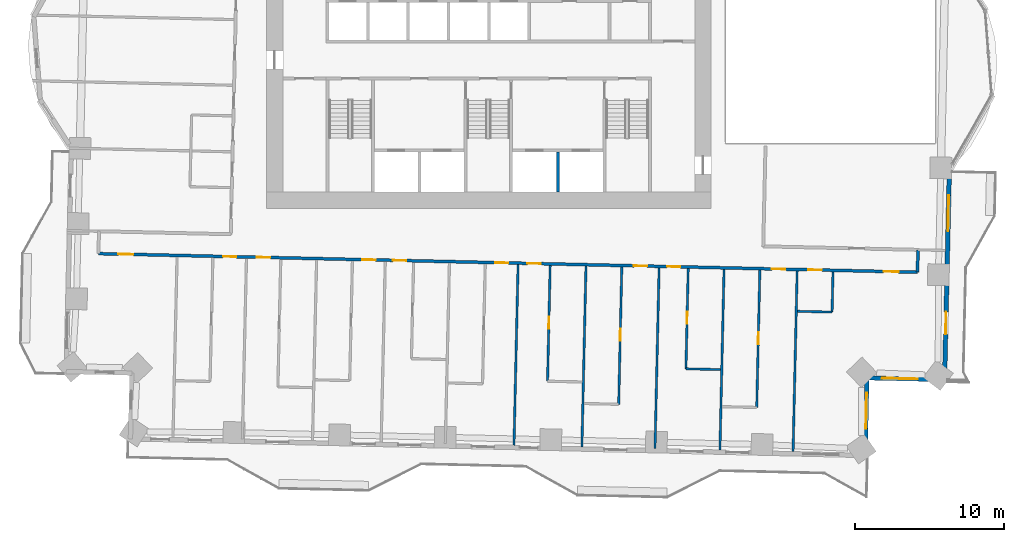
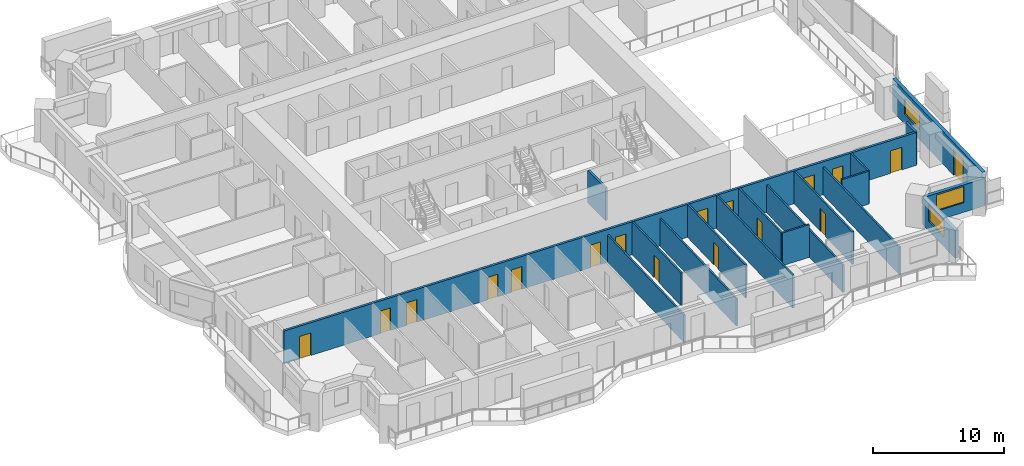
# One storey, part 9 of 18: 18 walls, 17 doors, 3 windows, 20 openings.
"""IFC4 building model written with IfcOpenShell, lengths in metres."""

from ifc_helpers import new_model, si_unit, direction, frame, frame_2d, origin, place, context, subcontext, project, spatial, rectangle, extrude, material, layer, layer_set, type_object, element, fill, save


model = new_model("IFC4")

# Units and contexts
model_context = context("Model", 3, precision=1e-05, world=origin(), true_north=direction((0.0, 1.0)))
body_context = subcontext(model_context, "Body", "Model", "MODEL_VIEW")
ifc_project = project(units=[si_unit("LENGTHUNIT", "METRE"), si_unit("AREAUNIT", "SQUARE_METRE"), si_unit("VOLUMEUNIT", "CUBIC_METRE"), si_unit("PLANEANGLEUNIT", "RADIAN"), si_unit("MASSUNIT", "GRAM", prefix="KILO")], contexts=[model_context])

# Site, building, storey
site_placement = place(None, origin())
site = spatial("IfcSite", under=ifc_project, at=site_placement, CompositionType="ELEMENT")
building_placement = place(site_placement, origin())
building = spatial("IfcBuilding", under=site, at=building_placement, Name="Mangrove Gate Tower", CompositionType="ELEMENT")
storey_placement = place(building_placement, frame((0.0, 0.0, 67.5)))
storey = spatial("IfcBuildingStorey", under=building, at=storey_placement, Name="L16", CompositionType="ELEMENT", Elevation=67.5)

# Wall
ifc_material_1 = material(Name="Concrete C70/85", Category="concrete")
ifc_layer_1 = layer(ifc_material_1, 0.199951171875)
ifc_layer_set_1 = layer_set([ifc_layer_1], Name="Core shaft wall 200 C70/85")
wall_type_1 = type_object("IfcWallType", Name="Core shaft wall 200 C70/85", PredefinedType="SHEAR", material=ifc_layer_set_1)
wall_1_placement = place(storey_placement, frame((4.625, -10.800048828125, 0.0), z_axis=(0.0, 0.0, 1.0), x_axis=(0.0, 1.0, 0.0)))
element("IfcWall", 1, at=wall_1_placement, inside=storey, type_object=wall_type_1, Name="WALL-L16-CORE-18", PredefinedType="SHEAR", context=body_context, shape_type="SweptSolid", body=[
    extrude(rectangle(XDim=2.699951171875, YDim=0.199951171875, at=frame_2d((1.35009765625, 0.0))), origin(), (0.0, 0.0, 1.0), 3.050048828125),
])

# Wall, openings, doors
ifc_material_2 = material(Name="Gypsum board on steel stud, EI 60", Category="steel")
ifc_layer_2 = layer(ifc_material_2, 0.199951171875)
ifc_layer_set_2 = layer_set([ifc_layer_2], Name="Corridor wall EI 60")
wall_type_2 = type_object("IfcWallType", Name="Corridor wall EI 60", PredefinedType="PARTITIONING", material=ifc_layer_set_2)
wall_2_placement = place(storey_placement, frame((-26.15087890625, -14.924072265625, 0.0), z_axis=(0.0, 0.0, 1.0), x_axis=(0.999742750999, -0.022681089575, 0.0)))
wall_2 = element("IfcWall", 2, at=wall_2_placement, inside=storey, type_object=wall_type_2, Name="WALL-L16-031", PredefinedType="PARTITIONING", context=body_context, shape_type="SweptSolid", body=[
    extrude(rectangle(XDim=54.885986328125, YDim=0.199951171875, at=frame_2d((27.44287109375, 0.0))), origin(), (0.0, 0.0, 1.0), 3.050048828125),
])
opening_1_placement = place(wall_2_placement, frame((1.344970703125, 0.0, 0.0)))
opening_1 = element("IfcOpeningElement", 3, at=opening_1_placement, cuts=wall_2, Name="Opening AD", PredefinedType="OPENING", context=body_context, shape_type="SweptSolid", body=[
    extrude(rectangle(XDim=1.0, YDim=2.10009765625, at=frame_2d((0.5, 1.050048828125))), frame((0.0, 0.10986328125, 0.0), z_axis=(0.0, -1.0, 0.0), x_axis=(1.0, 0.0, 0.0)), (0.0, 0.0, 1.0), 0.219970703125),
])
opening_2_placement = place(wall_2_placement, frame((8.35009765625, 0.0, 0.0)))
opening_2 = element("IfcOpeningElement", 4, at=opening_2_placement, cuts=wall_2, Name="Opening BD", PredefinedType="OPENING", context=body_context, shape_type="SweptSolid", body=[
    extrude(rectangle(XDim=0.89990234375, YDim=2.10009765625, at=frame_2d((0.449951171875, 1.050048828125))), frame((0.0, 0.10986328125, 0.0), z_axis=(0.0, -1.0, 0.0), x_axis=(1.0, 0.0, 0.0)), (0.0, 0.0, 1.0), 0.219970703125),
])
opening_3_placement = place(wall_2_placement, frame((10.625, 0.0, 0.0)))
opening_3 = element("IfcOpeningElement", 5, at=opening_3_placement, cuts=wall_2, Name="Opening BD", PredefinedType="OPENING", context=body_context, shape_type="SweptSolid", body=[
    extrude(rectangle(XDim=0.89990234375, YDim=2.10009765625, at=frame_2d((0.449951171875, 1.050048828125))), frame((0.0, 0.10986328125, 0.0), z_axis=(0.0, -1.0, 0.0), x_axis=(1.0, 0.0, 0.0)), (0.0, 0.0, 1.0), 0.219970703125),
])
opening_4_placement = place(wall_2_placement, frame((17.675048828125, 0.0, 0.0)))
opening_4 = element("IfcOpeningElement", 6, at=opening_4_placement, cuts=wall_2, Name="Opening BD", PredefinedType="OPENING", context=body_context, shape_type="SweptSolid", body=[
    extrude(rectangle(XDim=0.89990234375, YDim=2.10009765625, at=frame_2d((0.449951171875, 1.050048828125))), frame((0.0, 0.10986328125, 0.0), z_axis=(0.0, -1.0, 0.0), x_axis=(1.0, 0.0, 0.0)), (0.0, 0.0, 1.0), 0.219970703125),
])
opening_5_placement = place(wall_2_placement, frame((19.72509765625, 0.0, 0.0)))
opening_5 = element("IfcOpeningElement", 7, at=opening_5_placement, cuts=wall_2, Name="Opening BD", PredefinedType="OPENING", context=body_context, shape_type="SweptSolid", body=[
    extrude(rectangle(XDim=0.89990234375, YDim=2.10009765625, at=frame_2d((0.449951171875, 1.050048828125))), frame((0.0, 0.10986328125, 0.0), z_axis=(0.0, -1.0, 0.0), x_axis=(1.0, 0.0, 0.0)), (0.0, 0.0, 1.0), 0.219970703125),
])
opening_6_placement = place(wall_2_placement, frame((26.574951171875, 0.0, 0.0)))
opening_6 = element("IfcOpeningElement", 8, at=opening_6_placement, cuts=wall_2, Name="Opening BD", PredefinedType="OPENING", context=body_context, shape_type="SweptSolid", body=[
    extrude(rectangle(XDim=0.89990234375, YDim=2.10009765625, at=frame_2d((0.449951171875, 1.050048828125))), frame((0.0, 0.10986328125, 0.0), z_axis=(0.0, -1.0, 0.0), x_axis=(1.0, 0.0, 0.0)), (0.0, 0.0, 1.0), 0.219970703125),
])
opening_7_placement = place(wall_2_placement, frame((28.75, 0.0, 0.0)))
opening_7 = element("IfcOpeningElement", 9, at=opening_7_placement, cuts=wall_2, Name="Opening BD", PredefinedType="OPENING", context=body_context, shape_type="SweptSolid", body=[
    extrude(rectangle(XDim=0.89990234375, YDim=2.10009765625, at=frame_2d((0.449951171875, 1.050048828125))), frame((0.0, 0.10986328125, 0.0), z_axis=(0.0, -1.0, 0.0), x_axis=(1.0, 0.0, 0.0)), (0.0, 0.0, 1.0), 0.219970703125),
])
opening_8_placement = place(wall_2_placement, frame((35.875, 0.0, 0.0)))
opening_8 = element("IfcOpeningElement", 10, at=opening_8_placement, cuts=wall_2, Name="Opening BD", PredefinedType="OPENING", context=body_context, shape_type="SweptSolid", body=[
    extrude(rectangle(XDim=0.89990234375, YDim=2.10009765625, at=frame_2d((0.449951171875, 1.050048828125))), frame((0.0, 0.10986328125, 0.0), z_axis=(0.0, -1.0, 0.0), x_axis=(1.0, 0.0, 0.0)), (0.0, 0.0, 1.0), 0.219970703125),
])
opening_9_placement = place(wall_2_placement, frame((38.10009765625, 0.0, 0.0)))
opening_9 = element("IfcOpeningElement", 11, at=opening_9_placement, cuts=wall_2, Name="Opening BD", PredefinedType="OPENING", context=body_context, shape_type="SweptSolid", body=[
    extrude(rectangle(XDim=0.89990234375, YDim=2.10009765625, at=frame_2d((0.449951171875, 1.050048828125))), frame((0.0, 0.10986328125, 0.0), z_axis=(0.0, -1.0, 0.0), x_axis=(1.0, 0.0, 0.0)), (0.0, 0.0, 1.0), 0.219970703125),
])
opening_10_placement = place(wall_2_placement, frame((45.125, 0.0, 0.0)))
opening_10 = element("IfcOpeningElement", 12, at=opening_10_placement, cuts=wall_2, Name="Opening BD", PredefinedType="OPENING", context=body_context, shape_type="SweptSolid", body=[
    extrude(rectangle(XDim=0.89990234375, YDim=2.10009765625, at=frame_2d((0.449951171875, 1.050048828125))), frame((0.0, 0.10986328125, 0.0), z_axis=(0.0, -1.0, 0.0), x_axis=(1.0, 0.0, 0.0)), (0.0, 0.0, 1.0), 0.219970703125),
])
opening_11_placement = place(wall_2_placement, frame((52.617919921875, 0.0, 0.0)))
opening_11 = element("IfcOpeningElement", 13, at=opening_11_placement, cuts=wall_2, Name="Opening AD", PredefinedType="OPENING", context=body_context, shape_type="SweptSolid", body=[
    extrude(rectangle(XDim=1.0, YDim=2.10009765625, at=frame_2d((0.5, 1.050048828125))), frame((0.0, 0.10986328125, 0.0), z_axis=(0.0, -1.0, 0.0), x_axis=(1.0, 0.0, 0.0)), (0.0, 0.0, 1.0), 0.219970703125),
])
opening_12_placement = place(wall_2_placement, frame((47.574951171875, 0.0, 0.0)))
opening_12 = element("IfcOpeningElement", 14, at=opening_12_placement, cuts=wall_2, Name="Opening SD", PredefinedType="OPENING", context=body_context, shape_type="SweptSolid", body=[
    extrude(rectangle(XDim=0.89990234375, YDim=2.10009765625, at=frame_2d((0.449951171875, 1.050048828125))), frame((0.0, 0.10986328125, 0.0), z_axis=(0.0, -1.0, 0.0), x_axis=(1.0, 0.0, 0.0)), (0.0, 0.0, 1.0), 0.219970703125),
])
ifc_material_3 = material(Name="Timber door leaf", Category="wood")
door_type_1 = type_object("IfcDoorType", Name="Amenity door 1000", OperationType="SINGLE_SWING_LEFT", PredefinedType="DOOR", material=ifc_material_3)
door_1_placement = place(opening_1_placement, origin())
door_1 = element("IfcDoor", 15, at=door_1_placement, inside=storey, type_object=door_type_1, Name="DOOR-L16-STU-c1a", OperationType="SINGLE_SWING_LEFT", OverallHeight=2.10009765625, OverallWidth=1.0, PredefinedType="DOOR", context=body_context, shape_type="SweptSolid", body=[
    extrude(rectangle(XDim=1.0, YDim=2.10009765625, at=frame_2d((0.5, 1.050048828125))), frame((0.0, 0.02490234375, 0.0), z_axis=(0.0, -1.0, 0.0), x_axis=(1.0, 0.0, 0.0)), (0.0, 0.0, 1.0), 0.050048828125),
])
fill(opening_1, door_1)
door_2_placement = place(opening_11_placement, origin())
door_2 = element("IfcDoor", 16, at=door_2_placement, inside=storey, type_object=door_type_1, Name="DOOR-L16-GAM-c3a", OperationType="SINGLE_SWING_RIGHT", OverallHeight=2.10009765625, OverallWidth=1.0, PredefinedType="DOOR", context=body_context, shape_type="SweptSolid", body=[
    extrude(rectangle(XDim=1.0, YDim=2.10009765625, at=frame_2d((0.5, 1.050048828125))), frame((0.0, 0.02490234375, 0.0), z_axis=(0.0, -1.0, 0.0), x_axis=(1.0, 0.0, 0.0)), (0.0, 0.0, 1.0), 0.050048828125),
])
fill(opening_11, door_2)
ifc_material_4 = material(Name="Timber door leaf", Category="wood")
door_type_2 = type_object("IfcDoorType", Name="Bedroom door 900", OperationType="SINGLE_SWING_LEFT", PredefinedType="DOOR", material=ifc_material_4)
door_3_placement = place(opening_2_placement, origin())
door_3 = element("IfcDoor", 17, at=door_3_placement, inside=storey, type_object=door_type_2, Name="DOOR-L16-BED-c101", OperationType="SINGLE_SWING_LEFT", OverallHeight=2.10009765625, OverallWidth=0.89990234375, PredefinedType="DOOR", context=body_context, shape_type="SweptSolid", body=[
    extrude(rectangle(XDim=0.89990234375, YDim=2.10009765625, at=frame_2d((0.449951171875, 1.050048828125))), frame((0.0, 0.02490234375, 0.0), z_axis=(0.0, -1.0, 0.0), x_axis=(1.0, 0.0, 0.0)), (0.0, 0.0, 1.0), 0.050048828125),
])
fill(opening_2, door_3)
door_4_placement = place(opening_3_placement, origin())
door_4 = element("IfcDoor", 18, at=door_4_placement, inside=storey, type_object=door_type_2, Name="DOOR-L16-BED-c102", OperationType="SINGLE_SWING_RIGHT", OverallHeight=2.10009765625, OverallWidth=0.89990234375, PredefinedType="DOOR", context=body_context, shape_type="SweptSolid", body=[
    extrude(rectangle(XDim=0.89990234375, YDim=2.10009765625, at=frame_2d((0.449951171875, 1.050048828125))), frame((0.0, 0.02490234375, 0.0), z_axis=(0.0, -1.0, 0.0), x_axis=(1.0, 0.0, 0.0)), (0.0, 0.0, 1.0), 0.050048828125),
])
fill(opening_3, door_4)
door_5_placement = place(opening_4_placement, origin())
door_5 = element("IfcDoor", 19, at=door_5_placement, inside=storey, type_object=door_type_2, Name="DOOR-L16-BED-c103", OperationType="SINGLE_SWING_LEFT", OverallHeight=2.10009765625, OverallWidth=0.89990234375, PredefinedType="DOOR", context=body_context, shape_type="SweptSolid", body=[
    extrude(rectangle(XDim=0.89990234375, YDim=2.10009765625, at=frame_2d((0.449951171875, 1.050048828125))), frame((0.0, 0.02490234375, 0.0), z_axis=(0.0, -1.0, 0.0), x_axis=(1.0, 0.0, 0.0)), (0.0, 0.0, 1.0), 0.050048828125),
])
fill(opening_4, door_5)
door_6_placement = place(opening_5_placement, origin())
door_6 = element("IfcDoor", 20, at=door_6_placement, inside=storey, type_object=door_type_2, Name="DOOR-L16-BED-c104", OperationType="SINGLE_SWING_RIGHT", OverallHeight=2.10009765625, OverallWidth=0.89990234375, PredefinedType="DOOR", context=body_context, shape_type="SweptSolid", body=[
    extrude(rectangle(XDim=0.89990234375, YDim=2.10009765625, at=frame_2d((0.449951171875, 1.050048828125))), frame((0.0, 0.02490234375, 0.0), z_axis=(0.0, -1.0, 0.0), x_axis=(1.0, 0.0, 0.0)), (0.0, 0.0, 1.0), 0.050048828125),
])
fill(opening_5, door_6)
door_7_placement = place(opening_6_placement, origin())
door_7 = element("IfcDoor", 21, at=door_7_placement, inside=storey, type_object=door_type_2, Name="DOOR-L16-BED-c205", OperationType="SINGLE_SWING_LEFT", OverallHeight=2.10009765625, OverallWidth=0.89990234375, PredefinedType="DOOR", context=body_context, shape_type="SweptSolid", body=[
    extrude(rectangle(XDim=0.89990234375, YDim=2.10009765625, at=frame_2d((0.449951171875, 1.050048828125))), frame((0.0, 0.02490234375, 0.0), z_axis=(0.0, -1.0, 0.0), x_axis=(1.0, 0.0, 0.0)), (0.0, 0.0, 1.0), 0.050048828125),
])
fill(opening_6, door_7)
door_8_placement = place(opening_7_placement, origin())
door_8 = element("IfcDoor", 22, at=door_8_placement, inside=storey, type_object=door_type_2, Name="DOOR-L16-BED-c206", OperationType="SINGLE_SWING_RIGHT", OverallHeight=2.10009765625, OverallWidth=0.89990234375, PredefinedType="DOOR", context=body_context, shape_type="SweptSolid", body=[
    extrude(rectangle(XDim=0.89990234375, YDim=2.10009765625, at=frame_2d((0.449951171875, 1.050048828125))), frame((0.0, 0.02490234375, 0.0), z_axis=(0.0, -1.0, 0.0), x_axis=(1.0, 0.0, 0.0)), (0.0, 0.0, 1.0), 0.050048828125),
])
fill(opening_7, door_8)
door_9_placement = place(opening_8_placement, origin())
door_9 = element("IfcDoor", 23, at=door_9_placement, inside=storey, type_object=door_type_2, Name="DOOR-L16-BED-c207", OperationType="SINGLE_SWING_LEFT", OverallHeight=2.10009765625, OverallWidth=0.89990234375, PredefinedType="DOOR", context=body_context, shape_type="SweptSolid", body=[
    extrude(rectangle(XDim=0.89990234375, YDim=2.10009765625, at=frame_2d((0.449951171875, 1.050048828125))), frame((0.0, 0.02490234375, 0.0), z_axis=(0.0, -1.0, 0.0), x_axis=(1.0, 0.0, 0.0)), (0.0, 0.0, 1.0), 0.050048828125),
])
fill(opening_8, door_9)
door_10_placement = place(opening_9_placement, origin())
door_10 = element("IfcDoor", 24, at=door_10_placement, inside=storey, type_object=door_type_2, Name="DOOR-L16-BED-c308", OperationType="SINGLE_SWING_RIGHT", OverallHeight=2.10009765625, OverallWidth=0.89990234375, PredefinedType="DOOR", context=body_context, shape_type="SweptSolid", body=[
    extrude(rectangle(XDim=0.89990234375, YDim=2.10009765625, at=frame_2d((0.449951171875, 1.050048828125))), frame((0.0, 0.02490234375, 0.0), z_axis=(0.0, -1.0, 0.0), x_axis=(1.0, 0.0, 0.0)), (0.0, 0.0, 1.0), 0.050048828125),
])
fill(opening_9, door_10)
door_11_placement = place(opening_10_placement, origin())
door_11 = element("IfcDoor", 25, at=door_11_placement, inside=storey, type_object=door_type_2, Name="DOOR-L16-BED-c309", OperationType="SINGLE_SWING_LEFT", OverallHeight=2.10009765625, OverallWidth=0.89990234375, PredefinedType="DOOR", context=body_context, shape_type="SweptSolid", body=[
    extrude(rectangle(XDim=0.89990234375, YDim=2.10009765625, at=frame_2d((0.449951171875, 1.050048828125))), frame((0.0, 0.02490234375, 0.0), z_axis=(0.0, -1.0, 0.0), x_axis=(1.0, 0.0, 0.0)), (0.0, 0.0, 1.0), 0.050048828125),
])
fill(opening_10, door_11)
ifc_material_5 = material(Name="Timber door leaf", Category="wood")
door_type_3 = type_object("IfcDoorType", Name="Service room door 900", OperationType="SINGLE_SWING_LEFT", PredefinedType="DOOR", material=ifc_material_5)
door_12_placement = place(opening_12_placement, origin())
door_12 = element("IfcDoor", 26, at=door_12_placement, inside=storey, type_object=door_type_3, Name="DOOR-L16-WC-c3a", OperationType="SINGLE_SWING_LEFT", OverallHeight=2.10009765625, OverallWidth=0.89990234375, PredefinedType="DOOR", context=body_context, shape_type="SweptSolid", body=[
    extrude(rectangle(XDim=0.89990234375, YDim=2.10009765625, at=frame_2d((0.449951171875, 1.050048828125))), frame((0.0, 0.02490234375, 0.0), z_axis=(0.0, -1.0, 0.0), x_axis=(1.0, 0.0, 0.0)), (0.0, 0.0, 1.0), 0.050048828125),
])
fill(opening_12, door_12)

# Wall
wall_3_placement = place(storey_placement, frame((28.718017578125, -16.1689453125, 0.0), z_axis=(0.0, 0.0, 1.0), x_axis=(0.022617910375, 0.999744182344, 0.0)))
element("IfcWall", 27, at=wall_3_placement, inside=storey, type_object=wall_type_2, Name="WALL-L16-033", PredefinedType="PARTITIONING", context=body_context, shape_type="SweptSolid", body=[
    extrude(rectangle(XDim=1.50048828125, YDim=0.199951171875, at=frame_2d((0.750244140625, 0.0))), origin(), (0.0, 0.0, 1.0), 3.050048828125),
])

# Wall, openings, door, window
ifc_material_6 = material(Name="Limestone", Category="masonry")
ifc_layer_3 = layer(ifc_material_6, 0.0400390625, Name="Limestone cladding")
ifc_material_7 = material(Name="Ventilated air gap")
ifc_layer_4 = layer(ifc_material_7, 0.0400390625, Name="Ventilated cavity")
ifc_material_8 = material(Name="Mineral wool insulation")
ifc_layer_5 = layer(ifc_material_8, 0.06005859375, Name="Insulation")
ifc_material_9 = material(Name="Breather membrane")
ifc_layer_6 = layer(ifc_material_9, 0.001953125, Name="Breather membrane")
ifc_material_10 = material(Name="Concrete C20/25 blockwork", Category="masonry")
ifc_layer_7 = layer(ifc_material_10, 0.14990234375, Name="Blockwork backing wall")
ifc_material_11 = material(Name="Gypsum plaster")
ifc_layer_8 = layer(ifc_material_11, 0.008056640625, Name="Internal plaster")
ifc_layer_set_3 = layer_set([ifc_layer_3, ifc_layer_4, ifc_layer_5, ifc_layer_6, ifc_layer_7, ifc_layer_8], Name="External wall 300 limestone cladding")
wall_type_3 = type_object("IfcWallType", Name="External wall 300 limestone cladding", PredefinedType="SOLIDWALL", material=ifc_layer_set_3)
wall_4_placement = place(storey_placement, frame((30.532958984375, -23.362060546875, 0.0), z_axis=(0.0, 0.0, 1.0), x_axis=(0.022698800888, 0.999742349027, 0.0)))
wall_4 = element("IfcWall", 28, at=wall_4_placement, inside=storey, type_object=wall_type_3, Name="WALL-L16-E0", PredefinedType="SOLIDWALL", context=body_context, shape_type="SweptSolid", body=[
    extrude(rectangle(XDim=14.229736328125, YDim=0.300048828125, at=frame_2d((7.11474609375, 0.0))), origin(), (0.0, 0.0, 1.0), 3.050048828125),
])
opening_13_placement = place(wall_4_placement, frame((3.0380859375, 0.0, 0.0)))
opening_13 = element("IfcOpeningElement", 29, at=opening_13_placement, cuts=wall_4, Name="Opening BD1", PredefinedType="OPENING", context=body_context, shape_type="SweptSolid", body=[
    extrude(rectangle(XDim=1.5, YDim=2.39990234375, at=frame_2d((0.75, 1.199951171875))), frame((0.0, 0.159912109375, 0.0), z_axis=(0.0, -1.0, 0.0), x_axis=(1.0, 0.0, 0.0)), (0.0, 0.0, 1.0), 0.320068359375),
])
opening_14_placement = place(wall_4_placement, frame((9.949951171875, 0.0, 0.89990234375)))
opening_14 = element("IfcOpeningElement", 30, at=opening_14_placement, cuts=wall_4, Name="Opening W2", PredefinedType="OPENING", context=body_context, shape_type="SweptSolid", body=[
    extrude(rectangle(XDim=2.39990234375, YDim=1.5, at=frame_2d((1.199951171875, 0.75))), frame((0.0, 0.159912109375, 0.0), z_axis=(0.0, -1.0, 0.0), x_axis=(1.0, 0.0, 0.0)), (0.0, 0.0, 1.0), 0.320068359375),
])
ifc_material_12 = material(Name="Aluminium frame with laminated clear glass", Category="aluminium")
door_type_4 = type_object("IfcDoorType", Name="Balcony sliding door 1500x2400", OperationType="SLIDING_TO_LEFT", PredefinedType="DOOR", material=ifc_material_12)
door_13_placement = place(opening_13_placement, origin())
door_13 = element("IfcDoor", 31, at=door_13_placement, inside=storey, type_object=door_type_4, Name="DOOR-L16-E0-1", OperationType="SLIDING_TO_LEFT", OverallHeight=2.39990234375, OverallWidth=1.5, PredefinedType="DOOR", context=body_context, shape_type="SweptSolid", body=[
    extrude(rectangle(XDim=1.5, YDim=2.39990234375, at=frame_2d((0.75, 1.199951171875))), frame((0.0, 0.02490234375, 0.0), z_axis=(0.0, -1.0, 0.0), x_axis=(1.0, 0.0, 0.0)), (0.0, 0.0, 1.0), 0.050048828125),
])
fill(opening_13, door_13)
ifc_material_13 = material(Name="Aluminium frame with double-glazed low-e glass", Category="aluminium")
window_type = type_object("IfcWindowType", Name="Corner room window 2400x1500", PartitioningType="DOUBLE_PANEL_VERTICAL", PredefinedType="WINDOW", material=ifc_material_13)
window_1_placement = place(opening_14_placement, origin())
window_1 = element("IfcWindow", 32, at=window_1_placement, inside=storey, type_object=window_type, Name="WIN-L16-E0-2", OverallHeight=1.5, OverallWidth=2.39990234375, PartitioningType="DOUBLE_PANEL_VERTICAL", PredefinedType="WINDOW", context=body_context, shape_type="SweptSolid", body=[
    extrude(rectangle(XDim=2.39990234375, YDim=1.5, at=frame_2d((1.199951171875, 0.75))), frame((0.0, 0.030029296875, 0.0), z_axis=(0.0, -1.0, 0.0), x_axis=(1.0, 0.0, 0.0)), (0.0, 0.0, 1.0), 0.06005859375),
])
fill(opening_14, window_1)

# Wall, opening, window
wall_5_placement = place(storey_placement, frame((25.216064453125, -28.443115234375, 0.0), z_axis=(0.0, 0.0, 1.0), x_axis=(0.022674484462, 0.999742900827, 0.0)))
wall_5 = element("IfcWall", 33, at=wall_5_placement, inside=storey, type_object=wall_type_3, Name="WALL-L16-E14", PredefinedType="SOLIDWALL", context=body_context, shape_type="SweptSolid", body=[
    extrude(rectangle(XDim=5.200439453125, YDim=0.300048828125, at=frame_2d((2.60009765625, 0.0))), origin(), (0.0, 0.0, 1.0), 2.550048828125),
])
opening_15_placement = place(wall_5_placement, frame((1.79296875, 0.0, 0.89990234375)))
opening_15 = element("IfcOpeningElement", 34, at=opening_15_placement, cuts=wall_5, Name="Opening W2", PredefinedType="OPENING", context=body_context, shape_type="SweptSolid", body=[
    extrude(rectangle(XDim=2.39990234375, YDim=1.5, at=frame_2d((1.199951171875, 0.75))), frame((0.0, 0.159912109375, 0.0), z_axis=(0.0, -1.0, 0.0), x_axis=(1.0, 0.0, 0.0)), (0.0, 0.0, 1.0), 0.320068359375),
])
window_2_placement = place(opening_15_placement, origin())
window_2 = element("IfcWindow", 35, at=window_2_placement, inside=storey, type_object=window_type, Name="WIN-L16-E14-1", OverallHeight=1.5, OverallWidth=2.39990234375, PartitioningType="DOUBLE_PANEL_VERTICAL", PredefinedType="WINDOW", context=body_context, shape_type="SweptSolid", body=[
    extrude(rectangle(XDim=2.39990234375, YDim=1.5, at=frame_2d((1.199951171875, 0.75))), frame((0.0, 0.030029296875, 0.0), z_axis=(0.0, -1.0, 0.0), x_axis=(1.0, 0.0, 0.0)), (0.0, 0.0, 1.0), 0.06005859375),
])
fill(opening_15, window_2)

wall_6_placement = place(storey_placement, frame((25.333984375, -23.243896484375, 0.0), z_axis=(0.0, 0.0, 1.0), x_axis=(0.999741811307, -0.022722471786, 0.0)))
wall_6 = element("IfcWall", 36, at=wall_6_placement, inside=storey, type_object=wall_type_3, Name="WALL-L16-S15", PredefinedType="SOLIDWALL", context=body_context, shape_type="SweptSolid", body=[
    extrude(rectangle(XDim=5.2001953125, YDim=0.300048828125, at=frame_2d((2.60009765625, 0.0))), origin(), (0.0, 0.0, 1.0), 2.550048828125),
])
opening_16_placement = place(wall_6_placement, frame((1.007080078125, 0.0, 0.89990234375)))
opening_16 = element("IfcOpeningElement", 37, at=opening_16_placement, cuts=wall_6, Name="Opening W2", PredefinedType="OPENING", context=body_context, shape_type="SweptSolid", body=[
    extrude(rectangle(XDim=2.39990234375, YDim=1.5, at=frame_2d((1.199951171875, 0.75))), frame((0.0, 0.159912109375, 0.0), z_axis=(0.0, -1.0, 0.0), x_axis=(1.0, 0.0, 0.0)), (0.0, 0.0, 1.0), 0.320068359375),
])
window_3_placement = place(opening_16_placement, origin())
window_3 = element("IfcWindow", 38, at=window_3_placement, inside=storey, type_object=window_type, Name="WIN-L16-S15-1", OverallHeight=1.5, OverallWidth=2.39990234375, PartitioningType="DOUBLE_PANEL_VERTICAL", PredefinedType="WINDOW", context=body_context, shape_type="SweptSolid", body=[
    extrude(rectangle(XDim=2.39990234375, YDim=1.5, at=frame_2d((1.199951171875, 0.75))), frame((0.0, 0.030029296875, 0.0), z_axis=(0.0, -1.0, 0.0), x_axis=(1.0, 0.0, 0.0)), (0.0, 0.0, 1.0), 0.06005859375),
])
fill(opening_16, window_3)

# Walls
ifc_material_14 = material(Name="Gypsum board on steel stud, EI 60", Category="steel")
ifc_layer_9 = layer(ifc_material_14, 0.14990234375)
ifc_layer_set_4 = layer_set([ifc_layer_9], Name="Party wall 150 EI 60")
wall_type_4 = type_object("IfcWallType", Name="Party wall 150 EI 60", PredefinedType="PARTITIONING", material=ifc_layer_set_4)
wall_7_placement = place(storey_placement, frame((1.68798828125, -27.759033203125, 0.0), z_axis=(0.0, 0.0, 1.0), x_axis=(0.02263844782, 0.9997437175, 0.0)))
element("IfcWall", 39, at=wall_7_placement, inside=storey, type_object=wall_type_4, Name="WALL-L16-006", PredefinedType="PARTITIONING", context=body_context, shape_type="SweptSolid", body=[
    extrude(rectangle(XDim=12.10009765625, YDim=0.14990234375, at=frame_2d((6.050048828125, 0.0))), origin(), (0.0, 0.0, 1.0), 2.550048828125),
])
wall_8_placement = place(storey_placement, frame((6.237060546875, -27.862060546875, 0.0), z_axis=(0.0, 0.0, 1.0), x_axis=(0.022637991173, 0.99974372784, 0.0)))
element("IfcWall", 40, at=wall_8_placement, inside=storey, type_object=wall_type_4, Name="WALL-L16-007", PredefinedType="PARTITIONING", context=body_context, shape_type="SweptSolid", body=[
    extrude(rectangle(XDim=12.100341796875, YDim=0.14990234375, at=frame_2d((6.05029296875, 0.0))), origin(), (0.0, 0.0, 1.0), 2.550048828125),
])
wall_9_placement = place(storey_placement, frame((11.135009765625, -27.972900390625, 0.0), z_axis=(0.0, 0.0, 1.0), x_axis=(0.022719113715, 0.999741887625, 0.0)))
element("IfcWall", 41, at=wall_9_placement, inside=storey, type_object=wall_type_4, Name="WALL-L16-008", PredefinedType="PARTITIONING", context=body_context, shape_type="SweptSolid", body=[
    extrude(rectangle(XDim=12.10009765625, YDim=0.14990234375, at=frame_2d((6.050048828125, 0.0))), origin(), (0.0, 0.0, 1.0), 3.050048828125),
])
wall_10_placement = place(storey_placement, frame((15.48388671875, -28.072021484375, 0.0), z_axis=(0.0, 0.0, 1.0), x_axis=(0.02273928012, 0.99974142914, 0.0)))
element("IfcWall", 42, at=wall_10_placement, inside=storey, type_object=wall_type_4, Name="WALL-L16-009", PredefinedType="PARTITIONING", context=body_context, shape_type="SweptSolid", body=[
    extrude(rectangle(XDim=12.10009765625, YDim=0.14990234375, at=frame_2d((6.050048828125, 0.0))), origin(), (0.0, 0.0, 1.0), 2.550048828125),
])
wall_11_placement = place(storey_placement, frame((20.383056640625, -28.18310546875, 0.0), z_axis=(0.0, 0.0, 1.0), x_axis=(0.022637991173, 0.99974372784, 0.0)))
element("IfcWall", 43, at=wall_11_placement, inside=storey, type_object=wall_type_4, Name="WALL-L16-010", PredefinedType="PARTITIONING", context=body_context, shape_type="SweptSolid", body=[
    extrude(rectangle(XDim=12.100341796875, YDim=0.14990234375, at=frame_2d((6.05029296875, 0.0))), origin(), (0.0, 0.0, 1.0), 2.550048828125),
])

# Wall, opening, door
wall_12_placement = place(storey_placement, frame((8.701904296875, -25.01708984375, 0.0), z_axis=(0.0, 0.0, 1.0), x_axis=(0.022611084784, 0.999744336741, 0.0)))
wall_12 = element("IfcWall", 44, at=wall_12_placement, inside=storey, type_object=wall_type_4, Name="WALL-L16-012", PredefinedType="PARTITIONING", context=body_context, shape_type="SweptSolid", body=[
    extrude(rectangle(XDim=9.199462890625, YDim=0.14990234375, at=frame_2d((4.599609375, 0.0))), origin(), (0.0, 0.0, 1.0), 3.050048828125),
])
opening_17_placement = place(wall_12_placement, frame((4.25, 0.0, 0.0)))
opening_17 = element("IfcOpeningElement", 45, at=opening_17_placement, cuts=wall_12, Name="Opening ED", PredefinedType="OPENING", context=body_context, shape_type="SweptSolid", body=[
    extrude(rectangle(XDim=0.800048828125, YDim=2.10009765625, at=frame_2d((0.39990234375, 1.050048828125))), frame((0.0, 0.0849609375, 0.0), z_axis=(0.0, -1.0, 0.0), x_axis=(1.0, 0.0, 0.0)), (0.0, 0.0, 1.0), 0.169921875),
])
ifc_material_15 = material(Name="Timber door leaf", Category="wood")
door_type_5 = type_object("IfcDoorType", Name="En-suite door 800", OperationType="SINGLE_SWING_LEFT", PredefinedType="DOOR", material=ifc_material_15)
door_14_placement = place(opening_17_placement, origin())
door_14 = element("IfcDoor", 46, at=door_14_placement, inside=storey, type_object=door_type_5, Name="DOOR-L16-ENS-c207", OperationType="SINGLE_SWING_LEFT", OverallHeight=2.10009765625, OverallWidth=0.800048828125, PredefinedType="DOOR", context=body_context, shape_type="SweptSolid", body=[
    extrude(rectangle(XDim=0.800048828125, YDim=2.10009765625, at=frame_2d((0.39990234375, 1.050048828125))), frame((0.0, 0.02490234375, 0.0), z_axis=(0.0, -1.0, 0.0), x_axis=(1.0, 0.0, 0.0)), (0.0, 0.0, 1.0), 0.050048828125),
])
fill(opening_17, door_14)

wall_13_placement = place(storey_placement, frame((17.948974609375, -25.22705078125, 0.0), z_axis=(0.0, 0.0, 1.0), x_axis=(0.02271477479, 0.999741986218, 0.0)))
wall_13 = element("IfcWall", 47, at=wall_13_placement, inside=storey, type_object=wall_type_4, Name="WALL-L16-014", PredefinedType="PARTITIONING", context=body_context, shape_type="SweptSolid", body=[
    extrude(rectangle(XDim=9.200439453125, YDim=0.14990234375, at=frame_2d((4.60009765625, 0.0))), origin(), (0.0, 0.0, 1.0), 3.050048828125),
])
opening_18_placement = place(wall_13_placement, frame((4.25, 0.0, 0.0)))
opening_18 = element("IfcOpeningElement", 48, at=opening_18_placement, cuts=wall_13, Name="Opening ED", PredefinedType="OPENING", context=body_context, shape_type="SweptSolid", body=[
    extrude(rectangle(XDim=0.800048828125, YDim=2.10009765625, at=frame_2d((0.39990234375, 1.050048828125))), frame((0.0, 0.0849609375, 0.0), z_axis=(0.0, -1.0, 0.0), x_axis=(1.0, 0.0, 0.0)), (0.0, 0.0, 1.0), 0.169921875),
])
door_15_placement = place(opening_18_placement, origin())
door_15 = element("IfcDoor", 49, at=door_15_placement, inside=storey, type_object=door_type_5, Name="DOOR-L16-ENS-c309", OperationType="SINGLE_SWING_LEFT", OverallHeight=2.10009765625, OverallWidth=0.800048828125, PredefinedType="DOOR", context=body_context, shape_type="SweptSolid", body=[
    extrude(rectangle(XDim=0.800048828125, YDim=2.10009765625, at=frame_2d((0.39990234375, 1.050048828125))), frame((0.0, 0.02490234375, 0.0), z_axis=(0.0, -1.0, 0.0), x_axis=(1.0, 0.0, 0.0)), (0.0, 0.0, 1.0), 0.050048828125),
])
fill(opening_18, door_15)

wall_14_placement = place(storey_placement, frame((3.93603515625, -23.468994140625, 0.0), z_axis=(0.0, 0.0, 1.0), x_axis=(0.022683528451, 0.999742695666, 0.0)))
wall_14 = element("IfcWall", 50, at=wall_14_placement, inside=storey, type_object=wall_type_4, Name="WALL-L16-023", PredefinedType="PARTITIONING", context=body_context, shape_type="SweptSolid", body=[
    extrude(rectangle(XDim=7.760009765625, YDim=0.14990234375, at=frame_2d((3.8798828125, 0.0))), origin(), (0.0, 0.0, 1.0), 3.050048828125),
])
opening_19_placement = place(wall_14_placement, frame((3.530029296875, 0.0, 0.0)))
opening_19 = element("IfcOpeningElement", 51, at=opening_19_placement, cuts=wall_14, Name="Opening ED", PredefinedType="OPENING", context=body_context, shape_type="SweptSolid", body=[
    extrude(rectangle(XDim=0.800048828125, YDim=2.10009765625, at=frame_2d((0.39990234375, 1.050048828125))), frame((0.0, 0.0849609375, 0.0), z_axis=(0.0, -1.0, 0.0), x_axis=(1.0, 0.0, 0.0)), (0.0, 0.0, 1.0), 0.169921875),
])
door_16_placement = place(opening_19_placement, origin())
door_16 = element("IfcDoor", 52, at=door_16_placement, inside=storey, type_object=door_type_5, Name="DOOR-L16-ENS-c206", OperationType="SINGLE_SWING_RIGHT", OverallHeight=2.10009765625, OverallWidth=0.800048828125, PredefinedType="DOOR", context=body_context, shape_type="SweptSolid", body=[
    extrude(rectangle(XDim=0.800048828125, YDim=2.10009765625, at=frame_2d((0.39990234375, 1.050048828125))), frame((0.0, 0.02490234375, 0.0), z_axis=(0.0, -1.0, 0.0), x_axis=(1.0, 0.0, 0.0)), (0.0, 0.0, 1.0), 0.050048828125),
])
fill(opening_19, door_16)

wall_15_placement = place(storey_placement, frame((13.20703125, -22.638916015625, 0.0), z_axis=(0.0, 0.0, 1.0), x_axis=(0.022595152847, 0.999744696944, 0.0)))
wall_15 = element("IfcWall", 53, at=wall_15_placement, inside=storey, type_object=wall_type_4, Name="WALL-L16-025", PredefinedType="PARTITIONING", context=body_context, shape_type="SweptSolid", body=[
    extrude(rectangle(XDim=6.720703125, YDim=0.14990234375, at=frame_2d((3.3603515625, 0.0))), origin(), (0.0, 0.0, 1.0), 3.050048828125),
])
opening_20_placement = place(wall_15_placement, frame((3.010009765625, 0.0, 0.0)))
opening_20 = element("IfcOpeningElement", 54, at=opening_20_placement, cuts=wall_15, Name="Opening ED", PredefinedType="OPENING", context=body_context, shape_type="SweptSolid", body=[
    extrude(rectangle(XDim=0.800048828125, YDim=2.10009765625, at=frame_2d((0.39990234375, 1.050048828125))), frame((0.0, 0.0849609375, 0.0), z_axis=(0.0, -1.0, 0.0), x_axis=(1.0, 0.0, 0.0)), (0.0, 0.0, 1.0), 0.169921875),
])
door_17_placement = place(opening_20_placement, origin())
door_17 = element("IfcDoor", 55, at=door_17_placement, inside=storey, type_object=door_type_5, Name="DOOR-L16-ENS-c308", OperationType="SINGLE_SWING_RIGHT", OverallHeight=2.10009765625, OverallWidth=0.800048828125, PredefinedType="DOOR", context=body_context, shape_type="SweptSolid", body=[
    extrude(rectangle(XDim=0.800048828125, YDim=2.10009765625, at=frame_2d((0.39990234375, 1.050048828125))), frame((0.0, 0.02490234375, 0.0), z_axis=(0.0, -1.0, 0.0), x_axis=(1.0, 0.0, 0.0)), (0.0, 0.0, 1.0), 0.050048828125),
])
fill(opening_20, door_17)

# Walls
wall_16_placement = place(storey_placement, frame((13.208984375, -22.638916015625, 0.0), z_axis=(0.0, 0.0, 1.0), x_axis=(0.999740260747, -0.02279059109, 0.0)))
element("IfcWall", 56, at=wall_16_placement, inside=storey, type_object=wall_type_4, Name="WALL-L16-026", PredefinedType="PARTITIONING", context=body_context, shape_type="SweptSolid", body=[
    extrude(rectangle(XDim=2.324462890625, YDim=0.14990234375, at=frame_2d((1.162109375, 0.0))), origin(), (0.0, 0.0, 1.0), 3.050048828125),
])
wall_17_placement = place(storey_placement, frame((20.673095703125, -18.787109375, 0.0), z_axis=(0.0, 0.0, 1.0), x_axis=(0.999740478815, -0.022781023197, 0.0)))
element("IfcWall", 57, at=wall_17_placement, inside=storey, type_object=wall_type_4, Name="WALL-L16-029", PredefinedType="PARTITIONING", context=body_context, shape_type="SweptSolid", body=[
    extrude(rectangle(XDim=2.325439453125, YDim=0.14990234375, at=frame_2d((1.16259765625, 0.0))), origin(), (0.0, 0.0, 1.0), 3.050048828125),
])
wall_18_placement = place(storey_placement, frame((22.99609375, -18.840087890625, 0.0), z_axis=(0.0, 0.0, 1.0), x_axis=(0.022518033722, 0.999746436932, 0.0)))
element("IfcWall", 58, at=wall_18_placement, inside=storey, type_object=wall_type_4, Name="WALL-L16-030", PredefinedType="PARTITIONING", context=body_context, shape_type="SweptSolid", body=[
    extrude(rectangle(XDim=2.69970703125, YDim=0.14990234375, at=frame_2d((1.349853515625, 0.0))), origin(), (0.0, 0.0, 1.0), 3.050048828125),
])

save(model, "model.ifc")
